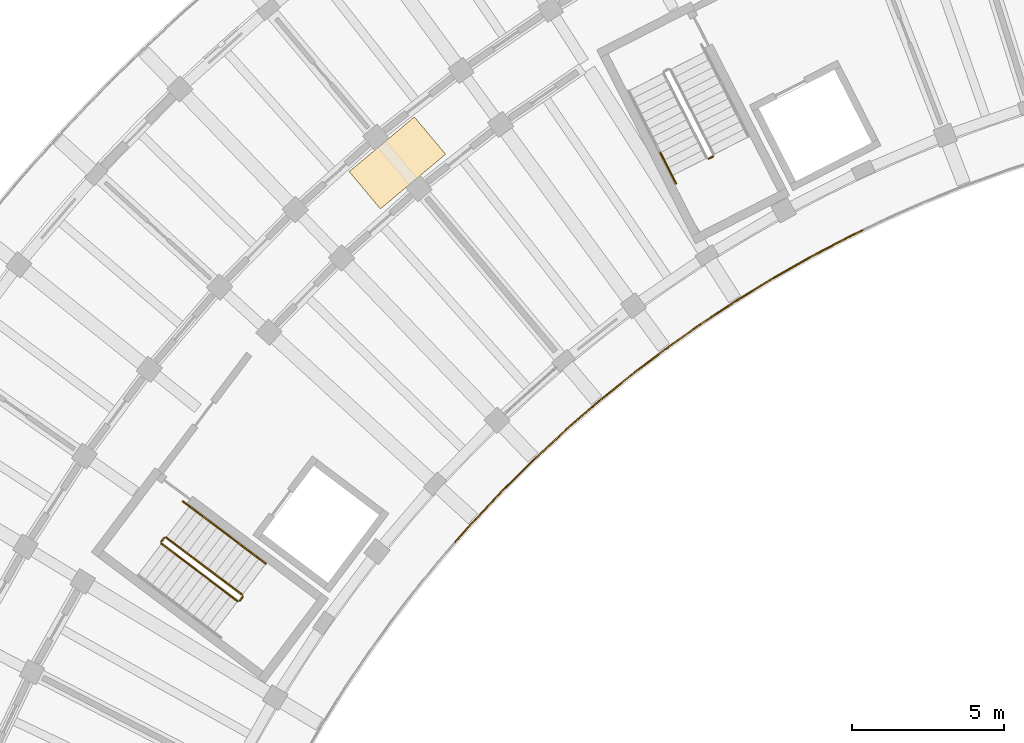
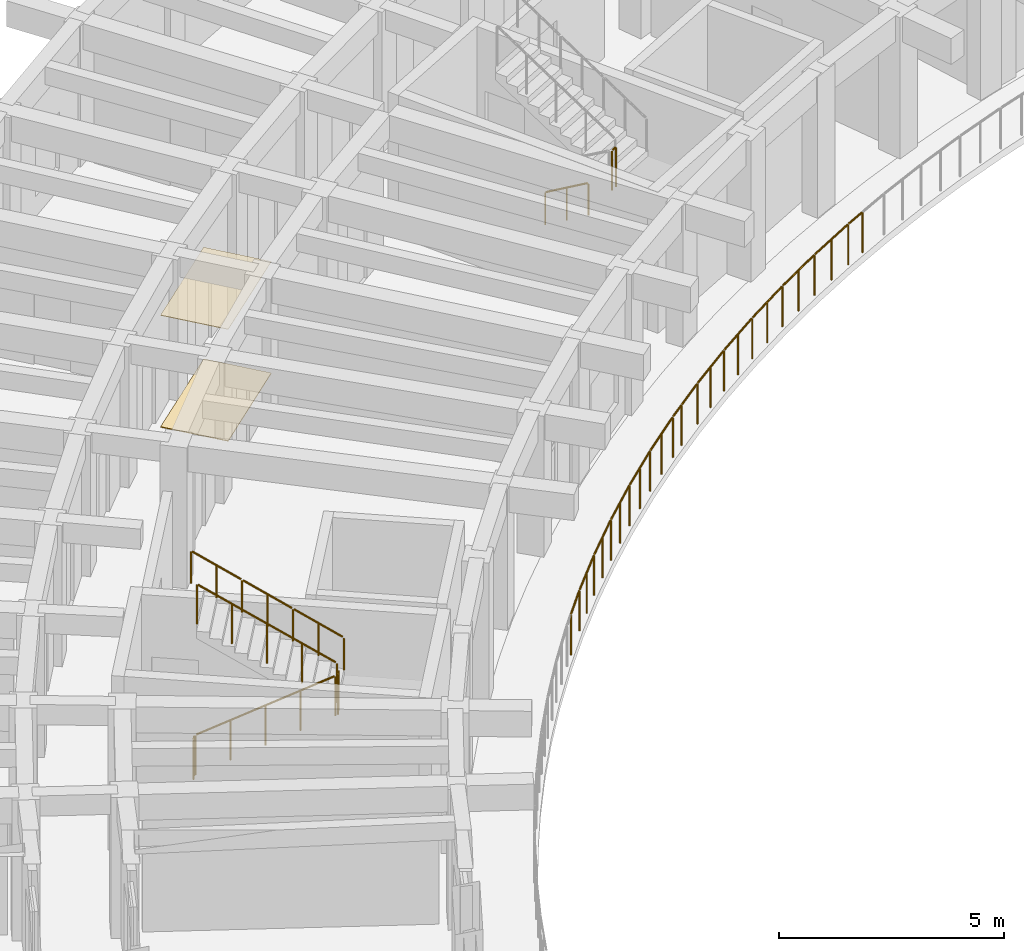
# One storey, part 114 of 128: 11 railings, 2 coverings.
"""IFC4 building model written with IfcOpenShell, lengths in metres."""

import ifcopenshell
import ifcopenshell.guid

model = None  # the IFC model being written
_history = None  # IfcOwnerHistory: only IFC2X3 demands one
_inside = {}  # id of a spatial element -> (the spatial element, [elements in it])
_under = {}  # id of a project, library or spatial element -> (it, [spatial elements below it])
_declared = {}  # id of a project -> (the project, [libraries it declares])
_typed = {}  # id of a type object -> (the type object, [elements of that type])
_made_of = {}  # id of a material, layer set ... -> (it, [elements and type objects made of it])


def new_model(schema):
    """Start an empty IFC model of exactly this schema.

    Asked for "IFC4X3", IfcOpenShell would pick the latest addendum, in which some entities
    have other attributes; the version numbers below select the first issue.
    IFC2X3 requires an IfcOwnerHistory on every rooted entity: one is made here for all.
    """
    global model, _history
    if schema == "IFC4X3":
        model = ifcopenshell.file(schema_version=(4, 3, 0, 0))
    else:
        model = ifcopenshell.file(schema=schema)
    _inside.clear()
    _under.clear()
    _declared.clear()
    _typed.clear()
    _made_of.clear()
    _history = None
    if model.schema == "IFC2X3":
        org = make("IfcOrganization", Name="unknown")
        user = make(
            "IfcPersonAndOrganization",
            ThePerson=make("IfcPerson", FamilyName="unknown"),
            TheOrganization=org,
        )
        app = make(
            "IfcApplication",
            ApplicationDeveloper=org,
            Version="unknown",
            ApplicationFullName="unknown",
            ApplicationIdentifier="unknown",
        )
        _history = make(
            "IfcOwnerHistory",
            OwningUser=user,
            OwningApplication=app,
            ChangeAction="ADDED",
            CreationDate=0,
        )
    return model


def make(cls, **values):
    """One entity of the class cls with the attributes given. An attribute that is None is left unset."""
    return model.create_entity(
        cls, **{name: value for name, value in values.items() if value is not None}
    )


def rooted(cls, **values):
    """An entity with a GlobalId (a new one), such as an element, a storey or a relation."""
    return make(cls, GlobalId=ifcopenshell.guid.new(), OwnerHistory=_history, **values)


def si_unit(unit_type, name, prefix=None):
    """IfcSIUnit, for example si_unit("LENGTHUNIT", "METRE", prefix="MILLI")."""
    return make("IfcSIUnit", UnitType=unit_type, Prefix=prefix, Name=name)


def assignment(units):
    """IfcUnitAssignment: the units of a project."""
    return None if units is None else make("IfcUnitAssignment", Units=units)


def point(xyz):
    """IfcCartesianPoint."""
    return None if xyz is None else make("IfcCartesianPoint", Coordinates=xyz)


def direction(xyz):
    """IfcDirection."""
    return None if xyz is None else make("IfcDirection", DirectionRatios=xyz)


def frame(location, z_axis=None, x_axis=None):
    """IfcAxis2Placement3D, a coordinate frame: its origin and axes. An axis left out is left unset."""
    return make(
        "IfcAxis2Placement3D",
        Location=point(location),
        Axis=direction(z_axis),
        RefDirection=direction(x_axis),
    )


def frame_2d(location, x_axis=None):
    """IfcAxis2Placement2D, a coordinate frame in the plane: its origin and x axis."""
    return make(
        "IfcAxis2Placement2D", Location=point(location), RefDirection=direction(x_axis)
    )


def origin():
    """The frame at (0, 0, 0) with its axes left unset."""
    return frame((0.0, 0.0, 0.0))


def origin_2d():
    """The frame at (0, 0) in the plane with its x axis left unset."""
    return frame_2d((0.0, 0.0))


def place(relative_to, where):
    """IfcLocalPlacement: puts the frame where relative to a parent placement (None: the world)."""
    return make(
        "IfcLocalPlacement", PlacementRelTo=relative_to, RelativePlacement=where
    )


def context(
    kind, dimensions, precision=None, world=None, true_north=None, identifier=None
):
    """IfcGeometricRepresentationContext, for example the 3D "Model" context."""
    return make(
        "IfcGeometricRepresentationContext",
        ContextIdentifier=identifier,
        ContextType=kind,
        CoordinateSpaceDimension=dimensions,
        Precision=precision,
        WorldCoordinateSystem=world,
        TrueNorth=true_north,
    )


def subcontext(parent, identifier, kind, view, scale=None):
    """IfcGeometricRepresentationSubContext, for example "Body" below "Model"."""
    return make(
        "IfcGeometricRepresentationSubContext",
        ContextIdentifier=identifier,
        ContextType=kind,
        ParentContext=parent,
        TargetScale=scale,
        TargetView=view,
    )


def project(units=None, contexts=None):
    """IfcProject with its units and contexts."""
    return rooted(
        "IfcProject",
        Name="project",
        RepresentationContexts=contexts,
        UnitsInContext=assignment(units),
    )


def spatial(cls, under=None, at=None, **own):
    """A site, building, storey or space (cls), placed at a placement, below another one or the project."""
    s = rooted(cls, ObjectPlacement=at, **own)
    if under is not None:
        _under.setdefault(under.id(), (under, []))[1].append(s)
    return s


def profile(cls, at=None, kind="AREA", **sizes):
    """A parametric profile (cls). Its sizes go by their IFC names, for example OverallWidth=200.0."""
    return make(cls, ProfileType=kind, Position=at, **sizes)


def rectangle(**sizes):
    """IfcRectangleProfileDef."""
    return profile("IfcRectangleProfileDef", **sizes)


def circle(**sizes):
    """IfcCircleProfileDef."""
    return profile("IfcCircleProfileDef", **sizes)


def extrude(swept, where, along, depth):
    """IfcExtrudedAreaSolid: the profile swept, set in the frame where, extruded along a direction by depth."""
    return make(
        "IfcExtrudedAreaSolid",
        SweptArea=swept,
        Position=where,
        ExtrudedDirection=direction(along),
        Depth=depth,
    )


def shape(context_of_items, identifier, shape_type, items):
    """IfcShapeRepresentation: the items that make up one representation, for example the "Body"."""
    return make(
        "IfcShapeRepresentation",
        ContextOfItems=context_of_items,
        RepresentationIdentifier=identifier,
        RepresentationType=shape_type,
        Items=items,
    )


def material(Name=None, Category=None):
    """IfcMaterial."""
    return make("IfcMaterial", Name=Name, Category=Category)


def layer(
    of_material, thickness, ventilated=None, Name=None, Category=None, Priority=None
):
    """IfcMaterialLayer: one layer of a wall or slab, of a material (None: an air gap)."""
    return make(
        "IfcMaterialLayer",
        Material=of_material,
        LayerThickness=thickness,
        IsVentilated=ventilated,
        Name=Name,
        Category=Category,
        Priority=Priority,
    )


def layer_set(layers, Name=None):
    """IfcMaterialLayerSet."""
    return make("IfcMaterialLayerSet", MaterialLayers=layers, LayerSetName=Name)


def made_of(thing, what):
    """Note that an element or type object is made of a material, layer set ...; save() writes the relation."""
    if what is not None:
        _made_of.setdefault(what.id(), (what, []))[1].append(thing)
    return thing


def type_object(cls, material=None, **own):
    """A type object (cls), such as IfcWallType, which elements share."""
    return made_of(rooted(cls, **own), material)


def element(
    cls,
    number,
    at=None,
    inside=None,
    cuts=None,
    type_object=None,
    material=None,
    context=None,
    identifier="Body",
    shape_type=None,
    held_by="IfcProductDefinitionShape",
    body=None,
    shapes=None,
    **own,
):
    """One element of the class cls, such as IfcWall. Its Tag is "e" and its number.

    at: its placement. inside: the storey or other place that contains it. cuts: it is an
    opening in that element (IfcRelVoidsElement). A single representation is given by context,
    identifier, shape_type and body (its items); several are given by shapes. held_by: the class
    of the entity that holds the representations. save() writes the other relations.
    """
    e = rooted(cls, Tag="e%d" % number, ObjectPlacement=at, **own)
    if body is not None:
        shapes = [shape(context, identifier, shape_type, body)]
    if shapes is not None:
        e.Representation = make(held_by, Representations=shapes)
    if inside is not None:
        _inside.setdefault(inside.id(), (inside, []))[1].append(e)
    if cuts is not None:
        rooted(
            "IfcRelVoidsElement", RelatingBuildingElement=cuts, RelatedOpeningElement=e
        )
    if type_object is not None:
        _typed.setdefault(type_object.id(), (type_object, []))[1].append(e)
    return made_of(e, material)


def aggregate(whole, parts):
    """IfcRelAggregates: a whole, such as a stair, and the parts it consists of."""
    return rooted("IfcRelAggregates", RelatingObject=whole, RelatedObjects=parts)


def save(model, path):
    """Write the relations noted so far, then the file.

    IfcRelAggregates (storeys below a building ...), IfcRelContainedInSpatialStructure (elements
    in a storey), IfcRelDefinesByType, IfcRelAssociatesMaterial and IfcRelDeclares: one each for
    every whole, place, type object, material and project.
    """
    for whole, parts in _under.values():
        aggregate(whole, parts)
    for where, things in _inside.values():
        rooted(
            "IfcRelContainedInSpatialStructure",
            RelatedElements=things,
            RelatingStructure=where,
        )
    for kind, things in _typed.values():
        rooted("IfcRelDefinesByType", RelatedObjects=things, RelatingType=kind)
    for what, things in _made_of.values():
        rooted("IfcRelAssociatesMaterial", RelatedObjects=things, RelatingMaterial=what)
    for by, libraries in _declared.values():
        rooted("IfcRelDeclares", RelatingContext=by, RelatedDefinitions=libraries)
    model.write(path)


model = new_model("IFC4")

# Units and contexts
model_context = context("Model", 3, precision=1e-05, world=origin(), true_north=direction((0.0, 1.0)))
body_context = subcontext(model_context, "Body", "Model", "MODEL_VIEW")
ifc_project = project(units=[si_unit("LENGTHUNIT", "METRE"), si_unit("AREAUNIT", "SQUARE_METRE"), si_unit("VOLUMEUNIT", "CUBIC_METRE"), si_unit("PLANEANGLEUNIT", "RADIAN"), si_unit("MASSUNIT", "GRAM", prefix="KILO")], contexts=[model_context])

# Site, building, storey
site_placement = place(None, origin())
site = spatial("IfcSite", under=ifc_project, at=site_placement, CompositionType="ELEMENT")
building_placement = place(site_placement, origin())
building = spatial("IfcBuilding", under=site, at=building_placement, Name="Tanwirah Colonnade Gardens", CompositionType="ELEMENT")
storey_placement = place(building_placement, frame((0.0, 0.0, 4.760009765625)))
storey = spatial("IfcBuildingStorey", under=building, at=storey_placement, Name="L01", CompositionType="ELEMENT", Elevation=4.760009765625)

# Railings
ifc_material_1 = material(Name="Precast concrete C40/50", Category="concrete")
railing_type_1 = type_object("IfcRailingType", Name="BAL-EXT112", PredefinedType="BALUSTRADE", material=ifc_material_1)
railing_1_placement = place(storey_placement, frame((46.27880859375, 98.548583984375, 0.0)))
element("IfcRailing", 1, at=railing_1_placement, inside=storey, type_object=railing_type_1, Name="Block A L01 Balcony Ribbon Balustrade 3", PredefinedType="BALUSTRADE", context=body_context, shape_type="SweptSolid", body=[
    extrude(circle(Radius=0.02392578125, at=origin_2d()), frame((-0.028076171875, -0.013671875, 1.09619140625), z_axis=(-0.900252558568, -0.435368040619, 0.0), x_axis=(0.435368040619, -0.900252558568, 0.0)), (0.0, 0.0, 1.0), 0.5),
    extrude(circle(Radius=0.02392578125, at=origin_2d()), frame((-0.5361328125, -0.2607421875, 1.09619140625), z_axis=(-0.885204649416, -0.465201814972, 0.0), x_axis=(0.465201814972, -0.885204649416, 0.0)), (0.0, 0.0, 1.0), 1.341796875),
    extrude(circle(Radius=0.02392578125, at=origin_2d()), frame((-1.78125, -0.916015625, 1.09619140625), z_axis=(-0.869342839865, -0.494209496848, 0.0), x_axis=(0.494209496848, -0.869342839865, 0.0)), (0.0, 0.0, 1.0), 1.342041015625),
    extrude(circle(Radius=0.02392578125, at=origin_2d()), frame((-3.00390625, -1.6123046875, 1.09619140625), z_axis=(-0.852623736113, -0.522525372223, 0.0), x_axis=(0.522525372223, -0.852623736113, 0.0)), (0.0, 0.0, 1.0), 1.342041015625),
    extrude(circle(Radius=0.02392578125, at=origin_2d()), frame((-4.203125, -2.34814453125, 1.09619140625), z_axis=(-0.834927342507, -0.550360184547, 0.0), x_axis=(0.550360184547, -0.834927342507, 0.0)), (0.0, 0.0, 1.0), 1.341796875),
    extrude(circle(Radius=0.02392578125, at=origin_2d()), frame((-5.37744140625, -3.12353515625, 1.09619140625), z_axis=(-0.816321661452, -0.577597563226, 0.0), x_axis=(0.577597563226, -0.816321661452, 0.0)), (0.0, 0.0, 1.0), 1.341552734375),
    extrude(circle(Radius=0.02392578125, at=origin_2d()), frame((-6.525146484375, -3.936767578125, 1.09619140625), z_axis=(-0.796799330669, -0.604244012502, 0.0), x_axis=(0.604244012502, -0.796799330669, 0.0)), (0.0, 0.0, 1.0), 0.837646484375),
    extrude(circle(Radius=0.02099609375, at=origin_2d()), origin(), (0.0, 0.0, 1.0), 1.069091796875),
    extrude(circle(Radius=0.02099609375, at=origin_2d()), frame((-0.50634765625, -0.244873046875, 0.0)), (0.0, 0.0, 1.0), 1.069091796875),
    extrude(circle(Radius=0.02099609375, at=origin_2d()), frame((-1.130126953125, -0.57275390625, 0.0)), (0.0, 0.0, 1.0), 1.069091796875),
    extrude(circle(Radius=0.02099609375, at=origin_2d()), frame((-1.751708984375, -0.8994140625, 0.0)), (0.0, 0.0, 1.0), 1.069091796875),
    extrude(circle(Radius=0.02099609375, at=origin_2d()), frame((-2.36474609375, -1.24755859375, 0.0)), (0.0, 0.0, 1.0), 1.069091796875),
    extrude(circle(Radius=0.02099609375, at=origin_2d()), frame((-2.97509765625, -1.5947265625, 0.0)), (0.0, 0.0, 1.0), 1.069091796875),
    extrude(circle(Radius=0.02099609375, at=origin_2d()), frame((-3.576171875, -1.962890625, 0.0)), (0.0, 0.0, 1.0), 1.069091796875),
    extrude(circle(Radius=0.02099609375, at=origin_2d()), frame((-4.1748046875, -2.329833984375, 0.0)), (0.0, 0.0, 1.0), 1.069091796875),
    extrude(circle(Radius=0.02099609375, at=origin_2d()), frame((-4.76318359375, -2.717529296875, 0.0)), (0.0, 0.0, 1.0), 1.069091796875),
    extrude(circle(Radius=0.02099609375, at=origin_2d()), frame((-5.349609375, -3.10400390625, 0.0)), (0.0, 0.0, 1.0), 1.069091796875),
    extrude(circle(Radius=0.02099609375, at=origin_2d()), frame((-5.9248046875, -3.510986328125, 0.0)), (0.0, 0.0, 1.0), 1.069091796875),
    extrude(circle(Radius=0.02099609375, at=origin_2d()), frame((-6.498046875, -3.91650390625, 0.0)), (0.0, 0.0, 1.0), 1.069091796875),
    extrude(circle(Radius=0.02099609375, at=origin_2d()), frame((-7.217529296875, -4.4619140625, 0.0)), (0.0, 0.0, 1.0), 1.069091796875),
])
railing_2_placement = place(storey_placement, frame((39.061279296875, 94.086669921875, 0.0)))
element("IfcRailing", 2, at=railing_2_placement, inside=storey, type_object=railing_type_1, Name="Block A L01 Balcony Ribbon Balustrade 4", PredefinedType="BALUSTRADE", context=body_context, shape_type="SweptSolid", body=[
    extrude(circle(Radius=0.02392578125, at=origin_2d()), frame((-0.02490234375, -0.018798828125, 1.09619140625), z_axis=(-0.796852005176, -0.604174545845, 0.0), x_axis=(0.604174545845, -0.796852005176, 0.0)), (0.0, 0.0, 1.0), 0.44189453125),
    extrude(circle(Radius=0.02392578125, at=origin_2d()), frame((-0.427978515625, -0.325927734375, 1.09619140625), z_axis=(-0.776491375378, -0.630127879056, 0.0), x_axis=(0.630127879056, -0.776491375378, 0.0)), (0.0, 0.0, 1.0), 1.342041015625),
    extrude(circle(Radius=0.02392578125, at=origin_2d()), frame((-1.52001953125, -1.21337890625, 1.09619140625), z_axis=(-0.755402192857, -0.655261418845, 0.0), x_axis=(0.655261418845, -0.755402192857, 0.0)), (0.0, 0.0, 1.0), 1.341796875),
    extrude(circle(Radius=0.02392578125, at=origin_2d()), frame((-2.58203125, -2.135986328125, 1.09619140625), z_axis=(-0.73336899588, -0.679830799451, 0.0), x_axis=(0.679830799451, -0.73336899588, 0.0)), (0.0, 0.0, 1.0), 1.342041015625),
    extrude(circle(Radius=0.02392578125, at=origin_2d()), frame((-3.61328125, -3.09326171875, 1.09619140625), z_axis=(-0.710488556831, -0.703708754111, 0.0), x_axis=(0.703708754111, -0.710488556831, 0.0)), (0.0, 0.0, 1.0), 1.341796875),
    extrude(circle(Radius=0.02392578125, at=origin_2d()), frame((-4.612060546875, -4.084228515625, 1.09619140625), z_axis=(-0.687011382404, -0.726646654466, 0.0), x_axis=(0.726646654466, -0.687011382404, 0.0)), (0.0, 0.0, 1.0), 1.341796875),
    extrude(circle(Radius=0.02392578125, at=origin_2d()), frame((-5.577880859375, -5.107421875, 1.09619140625), z_axis=(-0.662590378068, -0.74898196967, 0.0), x_axis=(0.74898196967, -0.662590378068, 0.0)), (0.0, 0.0, 1.0), 0.8955078125),
    extrude(circle(Radius=0.02099609375, at=origin_2d()), origin(), (0.0, 0.0, 1.0), 1.069091796875),
    extrude(circle(Radius=0.02099609375, at=origin_2d()), frame((-0.40185546875, -0.3046875, 0.0)), (0.0, 0.0, 1.0), 1.069091796875),
    extrude(circle(Radius=0.02099609375, at=origin_2d()), frame((-0.94921875, -0.74853515625, 0.0)), (0.0, 0.0, 1.0), 1.069091796875),
    extrude(circle(Radius=0.02099609375, at=origin_2d()), frame((-1.494384765625, -1.191162109375, 0.0)), (0.0, 0.0, 1.0), 1.069091796875),
    extrude(circle(Radius=0.02099609375, at=origin_2d()), frame((-2.02685546875, -1.65283203125, 0.0)), (0.0, 0.0, 1.0), 1.069091796875),
    extrude(circle(Radius=0.02099609375, at=origin_2d()), frame((-2.55712890625, -2.113037109375, 0.0)), (0.0, 0.0, 1.0), 1.069091796875),
    extrude(circle(Radius=0.02099609375, at=origin_2d()), frame((-3.07421875, -2.59228515625, 0.0)), (0.0, 0.0, 1.0), 1.069091796875),
    extrude(circle(Radius=0.02099609375, at=origin_2d()), frame((-3.589111328125, -3.069580078125, 0.0)), (0.0, 0.0, 1.0), 1.069091796875),
    extrude(circle(Radius=0.02099609375, at=origin_2d()), frame((-4.08984375, -3.5654296875, 0.0)), (0.0, 0.0, 1.0), 1.069091796875),
    extrude(circle(Radius=0.02099609375, at=origin_2d()), frame((-4.5888671875, -4.0595703125, 0.0)), (0.0, 0.0, 1.0), 1.069091796875),
    extrude(circle(Radius=0.02099609375, at=origin_2d()), frame((-5.072998046875, -4.57177734375, 0.0)), (0.0, 0.0, 1.0), 1.069091796875),
    extrude(circle(Radius=0.02099609375, at=origin_2d()), frame((-5.555419921875, -5.08203125, 0.0)), (0.0, 0.0, 1.0), 1.069091796875),
    extrude(circle(Radius=0.02099609375, at=origin_2d()), frame((-6.19189453125, -5.801513671875, 0.0)), (0.0, 0.0, 1.0), 1.069091796875),
])

# Coverings
ifc_material_2 = material(Name="Acoustic perforated gypsum ceiling board")
ifc_layer_1 = layer(ifc_material_2, 0.014892578125)
ifc_layer_set_1 = layer_set([ifc_layer_1], Name="Acoustic perforated gypsum ceiling board")
covering_type_1 = type_object("IfcCoveringType", Name="COV-CEIL15", PredefinedType="CEILING", material=ifc_layer_set_1)
covering_1_placement = place(storey_placement, frame((30.96435546875, 100.761962890625, 3.03271484375), z_axis=(0.0, 0.0, 1.0), x_axis=(-0.766044443119, -0.642787609687, 0.0)))
element("IfcCovering", 3, at=covering_1_placement, inside=storey, type_object=covering_type_1, Name="Block A L01 Corridor Acoustic Ceiling", PredefinedType="CEILING", context=body_context, shape_type="SweptSolid", body=[
    extrude(rectangle(XDim=2.800048828125, YDim=1.60009765625, at=origin_2d()), origin(), (0.0, 0.0, 1.0), 0.014892578125),
])
ifc_material_3 = material(Name="Honed Abu Dhabi limestone terrazzo flooring", Category="masonry")
ifc_layer_2 = layer(ifc_material_3, 0.02001953125)
ifc_layer_set_2 = layer_set([ifc_layer_2], Name="Honed Abu Dhabi limestone terrazzo flooring")
covering_type_2 = type_object("IfcCoveringType", Name="COV-FLR20", PredefinedType="FLOORING", material=ifc_layer_set_2)
covering_2_placement = place(storey_placement, frame((30.96435546875, 100.761962890625, 0.0), z_axis=(0.0, 0.0, 1.0), x_axis=(-0.766044443119, -0.642787609687, 0.0)))
element("IfcCovering", 4, at=covering_2_placement, inside=storey, type_object=covering_type_2, Name="Block A L01 Corridor Terrazzo Flooring", PredefinedType="FLOORING", context=body_context, shape_type="SweptSolid", body=[
    extrude(rectangle(XDim=2.800048828125, YDim=1.60009765625, at=origin_2d()), origin(), (0.0, 0.0, 1.0), 0.02001953125),
])

# Railings
ifc_material_4 = material(Name="Powder-coated galvanized steel", Category="steel")
railing_type_2 = type_object("IfcRailingType", Name="GRD-ST110", PredefinedType="GUARDRAIL", material=ifc_material_4)
railing_3_placement = place(storey_placement, frame((41.20947265625, 100.900390625, 2.0400390625)))
element("IfcRailing", 5, at=railing_3_placement, inside=storey, type_object=railing_type_2, Name="L01 ST-A1 stair guard 2", PredefinedType="GUARDRAIL", context=body_context, shape_type="SweptSolid", body=[
    extrude(circle(Radius=0.02392578125, at=origin_2d()), frame((0.02783203125, 0.01416015625, 1.076171875), z_axis=(0.891353773095, 0.453308340084, 0.0), x_axis=(-0.453308340084, 0.891353773095, 0.0)), (0.0, 0.0, 1.0), 0.097412109375),
    extrude(circle(Radius=0.02099609375, at=origin_2d()), origin(), (0.0, 0.0, 1.0), 1.049072265625),
    extrude(circle(Radius=0.02099609375, at=origin_2d()), frame((0.142578125, 0.072509765625, 0.0)), (0.0, 0.0, 1.0), 1.049072265625),
])
railing_4_placement = place(storey_placement, frame((23.201416015625, 88.22900390625, 0.169921875)))
element("IfcRailing", 6, at=railing_4_placement, inside=storey, type_object=railing_type_2, Name="L01 ST-A2 stair guard 1", PredefinedType="GUARDRAIL", context=body_context, shape_type="SweptSolid", body=[
    extrude(circle(Radius=0.02392578125, at=origin_2d()), frame((0.021484375, -0.01611328125, 1.092041015625), z_axis=(0.685896372569, -0.516829871998, 0.512282197141), x_axis=(0.601792655518, 0.798652364777, 0.0)), (0.0, 0.0, 1.0), 3.588134765625),
    extrude(circle(Radius=0.02099609375, at=origin_2d()), origin(), (0.0, 0.0, 1.0), 1.049072265625),
    extrude(circle(Radius=0.02099609375, at=origin_2d()), frame((0.6259765625, -0.4716796875, 0.467529296875)), (0.0, 0.0, 1.0), 1.049072265625),
    extrude(circle(Radius=0.02099609375, at=origin_2d()), frame((1.251953125, -0.943359375, 0.93505859375)), (0.0, 0.0, 1.0), 1.049072265625),
    extrude(circle(Radius=0.02099609375, at=origin_2d()), frame((1.8779296875, -1.4150390625, 1.402587890625)), (0.0, 0.0, 1.0), 1.049072265625),
    extrude(circle(Radius=0.02099609375, at=origin_2d()), frame((2.50390625, -1.88671875, 1.8701171875)), (0.0, 0.0, 1.0), 1.049072265625),
])
railing_5_placement = place(storey_placement, frame((25.775390625, 86.35205078125, 2.0400390625)))
element("IfcRailing", 7, at=railing_5_placement, inside=storey, type_object=railing_type_2, Name="L01 ST-A2 stair guard 2", PredefinedType="GUARDRAIL", context=body_context, shape_type="SweptSolid", body=[
    extrude(circle(Radius=0.02392578125, at=origin_2d()), frame((0.018798828125, 0.02490234375, 1.076171875), z_axis=(0.600975757569, 0.799267251183, 0.0), x_axis=(-0.799267251183, 0.600975757569, 0.0)), (0.0, 0.0, 1.0), 0.09765625),
    extrude(circle(Radius=0.02099609375, at=origin_2d()), origin(), (0.0, 0.0, 1.0), 1.049072265625),
    extrude(circle(Radius=0.02099609375, at=origin_2d()), frame((0.09619140625, 0.1279296875, 0.0)), (0.0, 0.0, 1.0), 1.049072265625),
])
railing_6_placement = place(storey_placement, frame((25.86181640625, 86.550048828125, 2.2099609375)))
element("IfcRailing", 8, at=railing_6_placement, inside=storey, type_object=railing_type_2, Name="L01 ST-A2 stair guard 3", PredefinedType="GUARDRAIL", context=body_context, shape_type="SweptSolid", body=[
    extrude(circle(Radius=0.02392578125, at=origin_2d()), frame((-0.021484375, 0.01611328125, 1.092041015625), z_axis=(-0.68592007981, 0.516780855762, 0.512299903602), x_axis=(-0.601742981893, -0.798689791936, 0.0)), (0.0, 0.0, 1.0), 3.587890625),
    extrude(circle(Radius=0.02099609375, at=origin_2d()), origin(), (0.0, 0.0, 1.0), 1.049072265625),
    extrude(circle(Radius=0.02099609375, at=origin_2d()), frame((-0.6259765625, 0.4716796875, 0.467529296875)), (0.0, 0.0, 1.0), 1.049072265625),
    extrude(circle(Radius=0.02099609375, at=origin_2d()), frame((-1.251953125, 0.943359375, 0.93505859375)), (0.0, 0.0, 1.0), 1.049072265625),
    extrude(circle(Radius=0.02099609375, at=origin_2d()), frame((-1.8779296875, 1.414794921875, 1.402587890625)), (0.0, 0.0, 1.0), 1.049072265625),
    extrude(circle(Radius=0.02099609375, at=origin_2d()), frame((-2.50390625, 1.886474609375, 1.8701171875)), (0.0, 0.0, 1.0), 1.049072265625),
])
railing_7_placement = place(storey_placement, frame((23.191650390625, 88.299072265625, 0.0)))
element("IfcRailing", 9, at=railing_7_placement, inside=storey, type_object=railing_type_2, Name="L01 ST-A2 stair guard 4", PredefinedType="GUARDRAIL", context=body_context, shape_type="SweptSolid", body=[
    extrude(circle(Radius=0.02392578125, at=origin_2d()), frame((0.018798828125, 0.02490234375, 1.076171875), z_axis=(0.602681987584, 0.797981467104, 0.0), x_axis=(-0.797981467104, 0.602681987584, 0.0)), (0.0, 0.0, 1.0), 0.097412109375),
    extrude(circle(Radius=0.02099609375, at=origin_2d()), origin(), (0.0, 0.0, 1.0), 1.049072265625),
    extrude(circle(Radius=0.02099609375, at=origin_2d()), frame((0.096435546875, 0.127685546875, 0.0)), (0.0, 0.0, 1.0), 1.049072265625),
])
ifc_material_5 = material(Name="Brushed bronze stainless steel", Category="steel")
railing_type_3 = type_object("IfcRailingType", Name="HR-ST090", PredefinedType="HANDRAIL", material=ifc_material_5)
railing_8_placement = place(storey_placement, frame((39.613525390625, 101.10302734375, 1.5419921875)))
element("IfcRailing", 10, at=railing_8_placement, inside=storey, type_object=railing_type_3, Name="L01 ST-A1 stair handrail 3", PredefinedType="HANDRAIL", context=body_context, shape_type="SweptSolid", body=[
    extrude(circle(Radius=0.02392578125, at=origin_2d()), frame((0.01220703125, -0.02392578125, 0.89208984375), z_axis=(0.388978247368, -0.763461550611, 0.515579658067), x_axis=(0.891018251792, 0.453967482287, 0.0)), (0.0, 0.0, 1.0), 1.26806640625),
    extrude(circle(Radius=0.02099609375, at=origin_2d()), origin(), (0.0, 0.0, 1.0), 0.848876953125),
    extrude(circle(Radius=0.02099609375, at=origin_2d()), frame((0.2587890625, -0.5078125, 0.343017578125)), (0.0, 0.0, 1.0), 0.848876953125),
    extrude(circle(Radius=0.02099609375, at=origin_2d()), frame((0.517578125, -1.015869140625, 0.68603515625)), (0.0, 0.0, 1.0), 0.848876953125),
])
for number, where, name in (
    (11, (26.632080078125, 87.572265625, 2.2099609375), "L01 ST-A2 stair handrail 4"),
    (12, (25.7216796875, 88.25830078125, 2.89599609375), "L01 ST-A2 stair handrail 5"),
):
    element("IfcRailing", number, at=place(storey_placement, frame(where)), inside=storey, type_object=railing_type_3, Name=name, PredefinedType="HANDRAIL", context=body_context, shape_type="SweptSolid", body=[
        extrude(circle(Radius=0.02392578125, at=origin_2d()), frame((-0.021484375, 0.01611328125, 0.89208984375), z_axis=(-0.684276155775, 0.515638508375, 0.515638508375), x_axis=(-0.601814606132, -0.798635824294, 0.0)), (0.0, 0.0, 1.0), 1.267822265625),
        extrude(circle(Radius=0.02099609375, at=origin_2d()), origin(), (0.0, 0.0, 1.0), 0.848876953125),
        extrude(circle(Radius=0.02099609375, at=origin_2d()), frame((-0.455078125, 0.343017578125, 0.343017578125)), (0.0, 0.0, 1.0), 0.848876953125),
        extrude(circle(Radius=0.02099609375, at=origin_2d()), frame((-0.910400390625, 0.68603515625, 0.68603515625)), (0.0, 0.0, 1.0), 0.848876953125),
    ])
railing_9_placement = place(storey_placement, frame((24.811279296875, 88.9443359375, 3.58203125)))
element("IfcRailing", 13, at=railing_9_placement, inside=storey, type_object=railing_type_3, Name="L01 ST-A2 stair handrail 6", PredefinedType="HANDRAIL", context=body_context, shape_type="SweptSolid", body=[
    extrude(circle(Radius=0.02392578125, at=origin_2d()), frame((-0.021484375, 0.01611328125, 0.89208984375), z_axis=(-0.68437371715, 0.515573765467, 0.515573765467), x_axis=(-0.601711682591, -0.798713372264, 0.0)), (0.0, 0.0, 1.0), 1.26806640625),
    extrude(circle(Radius=0.02099609375, at=origin_2d()), origin(), (0.0, 0.0, 1.0), 0.848876953125),
    extrude(circle(Radius=0.02099609375, at=origin_2d()), frame((-0.455322265625, 0.343017578125, 0.343017578125)), (0.0, 0.0, 1.0), 0.848876953125),
    extrude(circle(Radius=0.02099609375, at=origin_2d()), frame((-0.91064453125, 0.68603515625, 0.68603515625)), (0.0, 0.0, 1.0), 0.848876953125),
])

save(model, "model.ifc")
